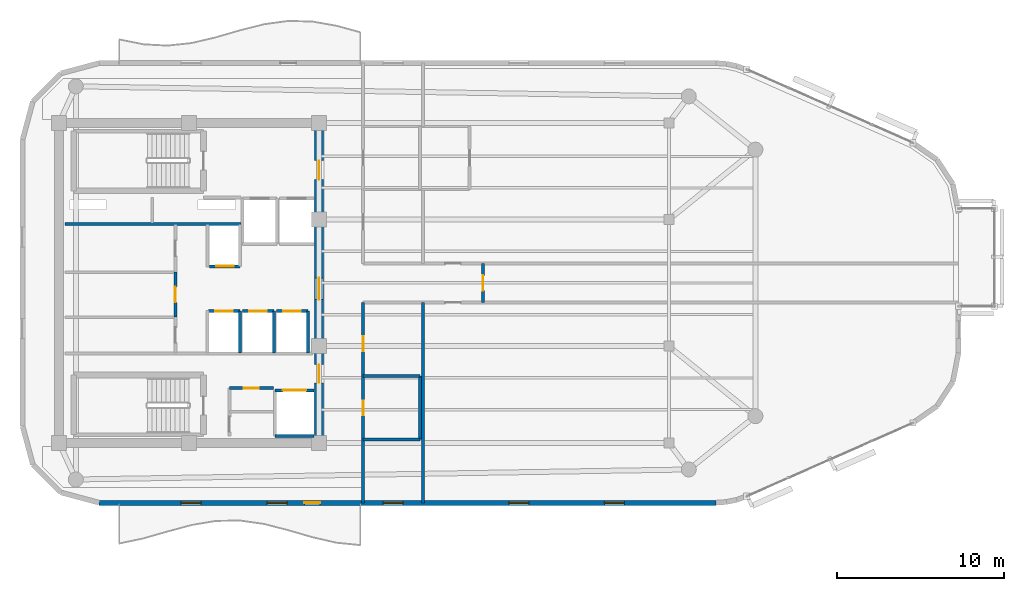
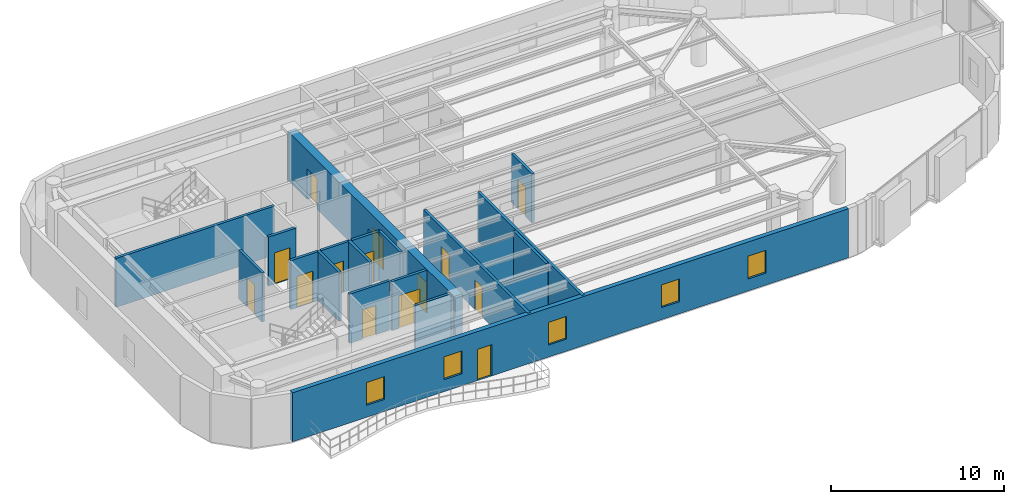
# One storey, part 9 of 13: 20 walls, 14 doors, 5 windows, 19 openings.
"""IFC4 building model written with IfcOpenShell, lengths in metres."""

from ifc_helpers import new_model, si_unit, direction, frame, frame_2d, origin, place, context, subcontext, project, spatial, rectangle, extrude, material, layer, layer_set, type_object, element, fill, save


model = new_model("IFC4")

# Units and contexts
model_context = context("Model", 3, precision=1e-05, world=origin(), true_north=direction((0.0, 1.0)))
body_context = subcontext(model_context, "Body", "Model", "MODEL_VIEW")
ifc_project = project(units=[si_unit("LENGTHUNIT", "METRE"), si_unit("AREAUNIT", "SQUARE_METRE"), si_unit("VOLUMEUNIT", "CUBIC_METRE"), si_unit("PLANEANGLEUNIT", "RADIAN"), si_unit("MASSUNIT", "GRAM", prefix="KILO")], contexts=[model_context])

# Site, building, storey
site_placement = place(None, origin())
site = spatial("IfcSite", under=ifc_project, at=site_placement, CompositionType="ELEMENT")
building_placement = place(site_placement, origin())
building = spatial("IfcBuilding", under=site, at=building_placement, Name="An Khanh Terracotta Commons", CompositionType="ELEMENT")
storey_placement = place(building_placement, frame((0.0, 0.0, 277.050048828125)))
storey = spatial("IfcBuildingStorey", under=building, at=storey_placement, Name="L72", CompositionType="ELEMENT", Elevation=277.050048828125)

# Wall, openings, doors
ifc_material_1 = material(Name="Concrete C50/60", Category="concrete")
ifc_layer_1 = layer(ifc_material_1, 0.550048828125, Name="Concrete C50/60")
ifc_layer_set_1 = layer_set([ifc_layer_1], Name="Concrete C50/60")
wall_type_1 = type_object("IfcWallType", Name="WALL-CORE-550", PredefinedType="SHEAR", material=ifc_layer_set_1)
wall_1_placement = place(storey_placement, frame((37.199951171875, 14.39990234375, 0.0), z_axis=(0.0, 0.0, 1.0), x_axis=(0.0, 1.0, 0.0)))
wall_1 = element("IfcWall", 1, at=wall_1_placement, inside=storey, type_object=wall_type_1, Name="L72 Core Wall CWALL-L72-E", PredefinedType="SHEAR", context=body_context, shape_type="SweptSolid", body=[
    extrude(rectangle(XDim=19.2001953125, YDim=0.550048828125, at=frame_2d((9.60009765625, 0.0))), origin(), (0.0, 0.0, 1.0), 3.449951171875),
])
opening_1_placement = place(wall_1_placement, frame((15.800048828125, 0.0, 0.0)))
opening_1 = element("IfcOpeningElement", 2, at=opening_1_placement, cuts=wall_1, Name="Opening D-FFL", PredefinedType="OPENING", context=body_context, shape_type="SweptSolid", body=[
    extrude(rectangle(XDim=1.14990234375, YDim=2.14990234375, at=frame_2d((0.574951171875, 1.074951171875))), frame((0.0, 0.284912109375, 0.0), z_axis=(0.0, -1.0, 0.0), x_axis=(1.0, 0.0, 0.0)), (0.0, 0.0, 1.0), 0.570068359375),
])
opening_2_placement = place(wall_1_placement, frame((3.60009765625, 0.0, 0.0)))
opening_2 = element("IfcOpeningElement", 3, at=opening_2_placement, cuts=wall_1, Name="Opening D-ST", PredefinedType="OPENING", context=body_context, shape_type="SweptSolid", body=[
    extrude(rectangle(XDim=1.10009765625, YDim=2.14990234375, at=frame_2d((0.550048828125, 1.074951171875))), frame((0.0, 0.284912109375, 0.0), z_axis=(0.0, -1.0, 0.0), x_axis=(1.0, 0.0, 0.0)), (0.0, 0.0, 1.0), 0.570068359375),
])
opening_3_placement = place(wall_1_placement, frame((8.60009765625, 0.0, 0.0)))
opening_3 = element("IfcOpeningElement", 4, at=opening_3_placement, cuts=wall_1, Name="Opening D-COR", PredefinedType="OPENING", context=body_context, shape_type="SweptSolid", body=[
    extrude(rectangle(XDim=1.300048828125, YDim=2.199951171875, at=frame_2d((0.64990234375, 1.10009765625))), frame((0.0, 0.284912109375, 0.0), z_axis=(0.0, -1.0, 0.0), x_axis=(1.0, 0.0, 0.0)), (0.0, 0.0, 1.0), 0.570068359375),
])
ifc_material_2 = material(Name="Fire-Rated Glazed Steel Double Door", Category="steel")
door_type_1 = type_object("IfcDoorType", Name="DOOR-CORR-1300", OperationType="NOTDEFINED", PredefinedType="DOOR", material=ifc_material_2)
door_1_placement = place(opening_3_placement, origin())
door_1 = element("IfcDoor", 5, at=door_1_placement, inside=storey, type_object=door_type_1, Name="L72 Passenger Lift Lobby Double Door", OperationType="DOUBLE_DOOR_SINGLE_SWING", OverallHeight=2.199951171875, OverallWidth=1.300048828125, PredefinedType="DOOR", context=body_context, shape_type="SweptSolid", body=[
    extrude(rectangle(XDim=1.300048828125, YDim=2.199951171875, at=frame_2d((0.64990234375, 1.10009765625))), frame((0.0, 0.02490234375, 0.0), z_axis=(0.0, -1.0, 0.0), x_axis=(1.0, 0.0, 0.0)), (0.0, 0.0, 1.0), 0.050048828125),
])
fill(opening_3, door_1)
ifc_material_3 = material(Name="Fire-Rated Steel Leaf and Vision Panel", Category="steel")
door_type_2 = type_object("IfcDoorType", Name="DOOR-FFL-1150", OperationType="NOTDEFINED", PredefinedType="DOOR", material=ifc_material_3)
door_2_placement = place(opening_1_placement, origin())
door_2 = element("IfcDoor", 6, at=door_2_placement, inside=storey, type_object=door_type_2, Name="L72 Firefighting Lift Lobby Fire Door", OperationType="SINGLE_SWING_LEFT", OverallHeight=2.14990234375, OverallWidth=1.14990234375, PredefinedType="DOOR", context=body_context, shape_type="SweptSolid", body=[
    extrude(rectangle(XDim=1.14990234375, YDim=2.14990234375, at=frame_2d((0.574951171875, 1.074951171875))), frame((0.0, 0.02490234375, 0.0), z_axis=(0.0, -1.0, 0.0), x_axis=(1.0, 0.0, 0.0)), (0.0, 0.0, 1.0), 0.050048828125),
])
fill(opening_1, door_2)
ifc_material_4 = material(Name="Fire-Rated Steel Leaf and Frame", Category="steel")
door_type_3 = type_object("IfcDoorType", Name="DOOR-STAIR-1100", OperationType="NOTDEFINED", PredefinedType="DOOR", material=ifc_material_4)
door_3_placement = place(opening_2_placement, origin())
door_3 = element("IfcDoor", 7, at=door_3_placement, inside=storey, type_object=door_type_3, Name="L72 South Stair Lobby Fire Door", OperationType="SINGLE_SWING_RIGHT", OverallHeight=2.14990234375, OverallWidth=1.10009765625, PredefinedType="DOOR", context=body_context, shape_type="SweptSolid", body=[
    extrude(rectangle(XDim=1.10009765625, YDim=2.14990234375, at=frame_2d((0.550048828125, 1.074951171875))), frame((0.0, 0.02490234375, 0.0), z_axis=(0.0, -1.0, 0.0), x_axis=(1.0, 0.0, 0.0)), (0.0, 0.0, 1.0), 0.050048828125),
])
fill(opening_2, door_3)

# Wall
ifc_material_5 = material(Name="Fire-Rated Gypsum Board on Steel Stud", Category="steel")
ifc_layer_2 = layer(ifc_material_5, 0.179931640625, Name="Fire-Rated Gypsum Board on Steel Stud")
ifc_layer_set_2 = layer_set([ifc_layer_2], Name="Fire-Rated Gypsum Board on Steel Stud")
wall_type_2 = type_object("IfcWallType", Name="WALL-CORR-180", PredefinedType="PARTITIONING", material=ifc_layer_set_2)
wall_2_placement = place(storey_placement, frame((21.949951171875, 27.5400390625, 0.0), z_axis=(0.0, 0.0, 1.0), x_axis=(1.0, 0.0, 0.0)))
element("IfcWall", 8, at=wall_2_placement, inside=storey, type_object=wall_type_2, Name="L72 Core Wall RSRW-L72-S", PredefinedType="PARTITIONING", context=body_context, shape_type="SweptSolid", body=[
    extrude(rectangle(XDim=10.56005859375, YDim=0.179931640625, at=frame_2d((5.280029296875, 0.0))), origin(), (0.0, 0.0, 1.0), 3.449951171875),
])

# Wall, opening, door
wall_3_placement = place(storey_placement, frame((31.820068359375, 17.679931640625, 0.0), z_axis=(0.0, 0.0, 1.0), x_axis=(1.0, 0.0, 0.0)))
wall_3 = element("IfcWall", 9, at=wall_3_placement, inside=storey, type_object=wall_type_2, Name="L72 Core Wall SSVCW-L72-N", PredefinedType="PARTITIONING", context=body_context, shape_type="SweptSolid", body=[
    extrude(rectangle(XDim=2.659912109375, YDim=0.179931640625, at=frame_2d((1.330078125, 0.0))), origin(), (0.0, 0.0, 1.0), 3.449951171875),
])
opening_4_placement = place(wall_3_placement, frame((0.85009765625, 0.0, 0.0)))
opening_4 = element("IfcOpeningElement", 10, at=opening_4_placement, cuts=wall_3, Name="Opening D-SV", PredefinedType="OPENING", context=body_context, shape_type="SweptSolid", body=[
    extrude(rectangle(XDim=0.89990234375, YDim=2.050048828125, at=frame_2d((0.449951171875, 1.02490234375))), frame((0.0, 0.099853515625, 0.0), z_axis=(0.0, -1.0, 0.0), x_axis=(1.0, 0.0, 0.0)), (0.0, 0.0, 1.0), 0.199951171875),
])
ifc_material_6 = material(Name="Fire-Rated Powder-Coated Steel Door", Category="steel")
door_type_4 = type_object("IfcDoorType", Name="DOOR-SERV-900", OperationType="NOTDEFINED", PredefinedType="DOOR", material=ifc_material_6)
door_4_placement = place(opening_4_placement, origin())
door_4 = element("IfcDoor", 11, at=door_4_placement, inside=storey, type_object=door_type_4, Name="L72 Core Cleaner Store Door", OperationType="SINGLE_SWING_LEFT", OverallHeight=2.050048828125, OverallWidth=0.89990234375, PredefinedType="DOOR", context=body_context, shape_type="SweptSolid", body=[
    extrude(rectangle(XDim=0.89990234375, YDim=2.050048828125, at=frame_2d((0.449951171875, 1.02490234375))), frame((0.0, 0.02490234375, 0.0), z_axis=(0.0, -1.0, 0.0), x_axis=(1.0, 0.0, 0.0)), (0.0, 0.0, 1.0), 0.050048828125),
])
fill(opening_4, door_4)

wall_4_placement = place(storey_placement, frame((34.550048828125, 17.550048828125, 0.0), z_axis=(0.0, 0.0, 1.0), x_axis=(1.0, 0.0, 0.0)))
wall_4 = element("IfcWall", 12, at=wall_4_placement, inside=storey, type_object=wall_type_2, Name="L72 Core Wall LSH-L72-SVL-01-N", PredefinedType="PARTITIONING", context=body_context, shape_type="SweptSolid", body=[
    extrude(rectangle(XDim=2.349853515625, YDim=0.179931640625, at=frame_2d((1.1748046875, 0.0))), origin(), (0.0, 0.0, 1.0), 3.449951171875),
])
opening_5_placement = place(wall_4_placement, frame((0.47509765625, 0.0, 0.0)))
opening_5 = element("IfcOpeningElement", 13, at=opening_5_placement, cuts=wall_4, Name="Opening LD-SVL-01-L72", PredefinedType="OPENING", context=body_context, shape_type="SweptSolid", body=[
    extrude(rectangle(XDim=1.39990234375, YDim=2.300048828125, at=frame_2d((0.699951171875, 1.14990234375))), frame((0.0, 0.099853515625, 0.0), z_axis=(0.0, -1.0, 0.0), x_axis=(1.0, 0.0, 0.0)), (0.0, 0.0, 1.0), 0.199951171875),
])
ifc_material_7 = material(Name="Heavy-Duty Stainless Steel Goods Landing Door", Category="steel")
door_type_5 = type_object("IfcDoorType", Name="DOOR-LD-SVL-1400", OperationType="NOTDEFINED", PredefinedType="DOOR", material=ifc_material_7)
door_5_placement = place(opening_5_placement, origin())
door_5 = element("IfcDoor", 14, at=door_5_placement, inside=storey, type_object=door_type_5, Name="L72 Lift SVL-01 Sliding Landing Door", OperationType="DOUBLE_DOOR_SLIDING", OverallHeight=2.300048828125, OverallWidth=1.39990234375, PredefinedType="DOOR", context=body_context, shape_type="SweptSolid", body=[
    extrude(rectangle(XDim=1.39990234375, YDim=2.300048828125, at=frame_2d((0.699951171875, 1.14990234375))), frame((0.0, 0.02490234375, 0.0), z_axis=(0.0, -1.0, 0.0), x_axis=(1.0, 0.0, 0.0)), (0.0, 0.0, 1.0), 0.050048828125),
])
fill(opening_5, door_5)

# Wall
wall_5_placement = place(storey_placement, frame((36.89990234375, 14.800048828125, 0.0), z_axis=(0.0, 0.0, 1.0), x_axis=(-1.0, 0.0, 0.0)))
element("IfcWall", 15, at=wall_5_placement, inside=storey, type_object=wall_type_2, Name="L72 Core Wall LSH-L72-SVL-01-S", PredefinedType="PARTITIONING", context=body_context, shape_type="SweptSolid", body=[
    extrude(rectangle(XDim=2.349853515625, YDim=0.179931640625, at=frame_2d((1.1748046875, 0.0))), origin(), (0.0, 0.0, 1.0), 3.449951171875),
])

# Wall, opening, door
wall_6_placement = place(storey_placement, frame((32.4599609375, 25.0, 0.0), z_axis=(0.0, 0.0, 1.0), x_axis=(-1.0, 0.0, 0.0)))
wall_6 = element("IfcWall", 16, at=wall_6_placement, inside=storey, type_object=wall_type_2, Name="L72 Core Wall LSH-L72-PL-H1-S", PredefinedType="PARTITIONING", context=body_context, shape_type="SweptSolid", body=[
    extrude(rectangle(XDim=1.820068359375, YDim=0.179931640625, at=frame_2d((0.91015625, 0.0))), origin(), (0.0, 0.0, 1.0), 3.449951171875),
])
opening_6_placement = place(wall_6_placement, frame((0.385009765625, 0.0, 0.0)))
opening_6 = element("IfcOpeningElement", 17, at=opening_6_placement, cuts=wall_6, Name="Opening LD-PL-H1-L72", PredefinedType="OPENING", context=body_context, shape_type="SweptSolid", body=[
    extrude(rectangle(XDim=1.050048828125, YDim=2.199951171875, at=frame_2d((0.52490234375, 1.10009765625))), frame((0.0, 0.099853515625, 0.0), z_axis=(0.0, -1.0, 0.0), x_axis=(1.0, 0.0, 0.0)), (0.0, 0.0, 1.0), 0.199951171875),
])
ifc_material_8 = material(Name="Brushed Stainless Steel High-Rise Landing Door", Category="steel")
door_type_6 = type_object("IfcDoorType", Name="DOOR-LD-PAXH-1050", OperationType="NOTDEFINED", PredefinedType="DOOR", material=ifc_material_8)
door_6_placement = place(opening_6_placement, origin())
door_6 = element("IfcDoor", 18, at=door_6_placement, inside=storey, type_object=door_type_6, Name="L72 Lift PL-H1 Sliding Landing Door", OperationType="DOUBLE_DOOR_SLIDING", OverallHeight=2.199951171875, OverallWidth=1.050048828125, PredefinedType="DOOR", context=body_context, shape_type="SweptSolid", body=[
    extrude(rectangle(XDim=1.050048828125, YDim=2.199951171875, at=frame_2d((0.52490234375, 1.10009765625))), frame((0.0, 0.02490234375, 0.0), z_axis=(0.0, -1.0, 0.0), x_axis=(1.0, 0.0, 0.0)), (0.0, 0.0, 1.0), 0.050048828125),
])
fill(opening_6, door_6)

wall_7_placement = place(storey_placement, frame((30.56005859375, 22.300048828125, 0.0), z_axis=(0.0, 0.0, 1.0), x_axis=(1.0, 0.0, 0.0)))
wall_7 = element("IfcWall", 19, at=wall_7_placement, inside=storey, type_object=wall_type_2, Name="L72 Core Wall LSH-L72-PL-H2-N", PredefinedType="PARTITIONING", context=body_context, shape_type="SweptSolid", body=[
    extrude(rectangle(XDim=1.89990234375, YDim=0.179931640625, at=frame_2d((0.949951171875, 0.0))), origin(), (0.0, 0.0, 1.0), 3.449951171875),
])
opening_7_placement = place(wall_7_placement, frame((0.425048828125, 0.0, 0.0)))
opening_7 = element("IfcOpeningElement", 20, at=opening_7_placement, cuts=wall_7, Name="Opening LD-PL-H2-L72", PredefinedType="OPENING", context=body_context, shape_type="SweptSolid", body=[
    extrude(rectangle(XDim=1.050048828125, YDim=2.199951171875, at=frame_2d((0.52490234375, 1.10009765625))), frame((0.0, 0.099853515625, 0.0), z_axis=(0.0, -1.0, 0.0), x_axis=(1.0, 0.0, 0.0)), (0.0, 0.0, 1.0), 0.199951171875),
])
door_7_placement = place(opening_7_placement, origin())
door_7 = element("IfcDoor", 21, at=door_7_placement, inside=storey, type_object=door_type_6, Name="L72 Lift PL-H2 Sliding Landing Door", OperationType="DOUBLE_DOOR_SLIDING", OverallHeight=2.199951171875, OverallWidth=1.050048828125, PredefinedType="DOOR", context=body_context, shape_type="SweptSolid", body=[
    extrude(rectangle(XDim=1.050048828125, YDim=2.199951171875, at=frame_2d((0.52490234375, 1.10009765625))), frame((0.0, 0.02490234375, 0.0), z_axis=(0.0, -1.0, 0.0), x_axis=(1.0, 0.0, 0.0)), (0.0, 0.0, 1.0), 0.050048828125),
])
fill(opening_7, door_7)

# Wall
wall_8_placement = place(storey_placement, frame((32.4599609375, 19.800048828125, 0.0), z_axis=(0.0, 0.0, 1.0), x_axis=(0.0, 1.0, 0.0)))
element("IfcWall", 22, at=wall_8_placement, inside=storey, type_object=wall_type_2, Name="L72 Core Wall LSH-L72-PL-H2-E", PredefinedType="PARTITIONING", context=body_context, shape_type="SweptSolid", body=[
    extrude(rectangle(XDim=2.5, YDim=0.179931640625, at=frame_2d((1.25, 0.0))), origin(), (0.0, 0.0, 1.0), 3.449951171875),
])

# Wall, opening, door
wall_9_placement = place(storey_placement, frame((32.60009765625, 22.300048828125, 0.0), z_axis=(0.0, 0.0, 1.0), x_axis=(1.0, 0.0, 0.0)))
wall_9 = element("IfcWall", 23, at=wall_9_placement, inside=storey, type_object=wall_type_2, Name="L72 Core Wall LSH-L72-PL-H3-N", PredefinedType="PARTITIONING", context=body_context, shape_type="SweptSolid", body=[
    extrude(rectangle(XDim=1.89990234375, YDim=0.179931640625, at=frame_2d((0.949951171875, 0.0))), origin(), (0.0, 0.0, 1.0), 3.449951171875),
])
opening_8_placement = place(wall_9_placement, frame((0.425048828125, 0.0, 0.0)))
opening_8 = element("IfcOpeningElement", 24, at=opening_8_placement, cuts=wall_9, Name="Opening LD-PL-H3-L72", PredefinedType="OPENING", context=body_context, shape_type="SweptSolid", body=[
    extrude(rectangle(XDim=1.050048828125, YDim=2.199951171875, at=frame_2d((0.52490234375, 1.10009765625))), frame((0.0, 0.099853515625, 0.0), z_axis=(0.0, -1.0, 0.0), x_axis=(1.0, 0.0, 0.0)), (0.0, 0.0, 1.0), 0.199951171875),
])
door_8_placement = place(opening_8_placement, origin())
door_8 = element("IfcDoor", 25, at=door_8_placement, inside=storey, type_object=door_type_6, Name="L72 Lift PL-H3 Sliding Landing Door", OperationType="DOUBLE_DOOR_SLIDING", OverallHeight=2.199951171875, OverallWidth=1.050048828125, PredefinedType="DOOR", context=body_context, shape_type="SweptSolid", body=[
    extrude(rectangle(XDim=1.050048828125, YDim=2.199951171875, at=frame_2d((0.52490234375, 1.10009765625))), frame((0.0, 0.02490234375, 0.0), z_axis=(0.0, -1.0, 0.0), x_axis=(1.0, 0.0, 0.0)), (0.0, 0.0, 1.0), 0.050048828125),
])
fill(opening_8, door_8)

# Wall
wall_10_placement = place(storey_placement, frame((34.5, 19.800048828125, 0.0), z_axis=(0.0, 0.0, 1.0), x_axis=(0.0, 1.0, 0.0)))
element("IfcWall", 26, at=wall_10_placement, inside=storey, type_object=wall_type_2, Name="L72 Core Wall LSH-L72-PL-H3-E", PredefinedType="PARTITIONING", context=body_context, shape_type="SweptSolid", body=[
    extrude(rectangle(XDim=2.5, YDim=0.179931640625, at=frame_2d((1.25, 0.0))), origin(), (0.0, 0.0, 1.0), 3.449951171875),
])

# Wall, opening, door
wall_11_placement = place(storey_placement, frame((34.639892578125, 22.300048828125, 0.0), z_axis=(0.0, 0.0, 1.0), x_axis=(1.0, 0.0, 0.0)))
wall_11 = element("IfcWall", 27, at=wall_11_placement, inside=storey, type_object=wall_type_2, Name="L72 Core Wall LSH-L72-PL-H4-N", PredefinedType="PARTITIONING", context=body_context, shape_type="SweptSolid", body=[
    extrude(rectangle(XDim=1.900146484375, YDim=0.179931640625, at=frame_2d((0.9501953125, 0.0))), origin(), (0.0, 0.0, 1.0), 3.449951171875),
])
opening_9_placement = place(wall_11_placement, frame((0.425048828125, 0.0, 0.0)))
opening_9 = element("IfcOpeningElement", 28, at=opening_9_placement, cuts=wall_11, Name="Opening LD-PL-H4-L72", PredefinedType="OPENING", context=body_context, shape_type="SweptSolid", body=[
    extrude(rectangle(XDim=1.050048828125, YDim=2.199951171875, at=frame_2d((0.52490234375, 1.10009765625))), frame((0.0, 0.099853515625, 0.0), z_axis=(0.0, -1.0, 0.0), x_axis=(1.0, 0.0, 0.0)), (0.0, 0.0, 1.0), 0.199951171875),
])
door_9_placement = place(opening_9_placement, origin())
door_9 = element("IfcDoor", 29, at=door_9_placement, inside=storey, type_object=door_type_6, Name="L72 Lift PL-H4 Sliding Landing Door", OperationType="DOUBLE_DOOR_SLIDING", OverallHeight=2.199951171875, OverallWidth=1.050048828125, PredefinedType="DOOR", context=body_context, shape_type="SweptSolid", body=[
    extrude(rectangle(XDim=1.050048828125, YDim=2.199951171875, at=frame_2d((0.52490234375, 1.10009765625))), frame((0.0, 0.02490234375, 0.0), z_axis=(0.0, -1.0, 0.0), x_axis=(1.0, 0.0, 0.0)), (0.0, 0.0, 1.0), 0.050048828125),
])
fill(opening_9, door_9)

# Wall
wall_12_placement = place(storey_placement, frame((36.5400390625, 19.800048828125, 0.0), z_axis=(0.0, 0.0, 1.0), x_axis=(0.0, 1.0, 0.0)))
element("IfcWall", 30, at=wall_12_placement, inside=storey, type_object=wall_type_2, Name="L72 Core Wall LSH-L72-PL-H4-E", PredefinedType="PARTITIONING", context=body_context, shape_type="SweptSolid", body=[
    extrude(rectangle(XDim=2.5, YDim=0.179931640625, at=frame_2d((1.25, 0.0))), origin(), (0.0, 0.0, 1.0), 3.449951171875),
])

# Wall, opening, door
wall_13_placement = place(storey_placement, frame((28.580078125, 21.949951171875, 0.0), z_axis=(0.0, 0.0, 1.0), x_axis=(0.0, 1.0, 0.0)))
wall_13 = element("IfcWall", 31, at=wall_13_placement, inside=storey, type_object=wall_type_2, Name="L72 Core Wall RECW-L72-E2", PredefinedType="PARTITIONING", context=body_context, shape_type="SweptSolid", body=[
    extrude(rectangle(XDim=2.699951171875, YDim=0.179931640625, at=frame_2d((1.35009765625, 0.0))), origin(), (0.0, 0.0, 1.0), 3.449951171875),
])
opening_10_placement = place(wall_13_placement, frame((0.889892578125, 0.0, 0.0)))
opening_10 = element("IfcOpeningElement", 32, at=opening_10_placement, cuts=wall_13, Name="Opening D-RM", PredefinedType="OPENING", context=body_context, shape_type="SweptSolid", body=[
    extrude(rectangle(XDim=0.919921875, YDim=2.10009765625, at=frame_2d((0.4599609375, 1.050048828125))), frame((0.0, 0.099853515625, 0.0), z_axis=(0.0, -1.0, 0.0), x_axis=(1.0, 0.0, 0.0)), (0.0, 0.0, 1.0), 0.199951171875),
])
ifc_material_9 = material(Name="Engineered Hardwood Timber Leaf", Category="wood")
door_type_7 = type_object("IfcDoorType", Name="DOOR-INT-920", OperationType="NOTDEFINED", PredefinedType="DOOR", material=ifc_material_9)
door_10_placement = place(opening_10_placement, origin())
door_10 = element("IfcDoor", 33, at=door_10_placement, inside=storey, type_object=door_type_7, Name="L72 Floor Pantry and Tea Room Door", OperationType="SINGLE_SWING_RIGHT", OverallHeight=2.10009765625, OverallWidth=0.919921875, PredefinedType="DOOR", context=body_context, shape_type="SweptSolid", body=[
    extrude(rectangle(XDim=0.919921875, YDim=2.10009765625, at=frame_2d((0.4599609375, 1.050048828125))), frame((0.0, 0.02490234375, 0.0), z_axis=(0.0, -1.0, 0.0), x_axis=(1.0, 0.0, 0.0)), (0.0, 0.0, 1.0), 0.050048828125),
])
fill(opening_10, door_10)

# Walls
wall_14_placement = place(storey_placement, frame((39.85009765625, 14.60009765625, 0.0), z_axis=(0.0, 0.0, 1.0), x_axis=(1.0, 0.0, 0.0)))
element("IfcWall", 34, at=wall_14_placement, inside=storey, type_object=wall_type_2, Name="L72 Interior Partition IW-L72-E001", PredefinedType="PARTITIONING", context=body_context, shape_type="SweptSolid", body=[
    extrude(rectangle(XDim=3.39990234375, YDim=0.179931640625, at=frame_2d((1.699951171875, 0.0))), origin(), (0.0, 0.0, 1.0), 3.092041015625),
])
wall_15_placement = place(storey_placement, frame((39.85009765625, 18.39990234375, 0.0), z_axis=(0.0, 0.0, 1.0), x_axis=(1.0, 0.0, 0.0)))
element("IfcWall", 35, at=wall_15_placement, inside=storey, type_object=wall_type_2, Name="L72 Interior Partition IW-L72-E002", PredefinedType="PARTITIONING", context=body_context, shape_type="SweptSolid", body=[
    extrude(rectangle(XDim=3.39990234375, YDim=0.179931640625, at=frame_2d((1.699951171875, 0.0))), origin(), (0.0, 0.0, 1.0), 3.1318359375),
])

# Wall, openings, doors
wall_16_placement = place(storey_placement, frame((39.85009765625, 10.800048828125, 0.0), z_axis=(0.0, 0.0, 1.0), x_axis=(0.0, 1.0, 0.0)))
wall_16 = element("IfcWall", 36, at=wall_16_placement, inside=storey, type_object=wall_type_2, Name="L72 Interior Partition IW-L72-E007", PredefinedType="PARTITIONING", context=body_context, shape_type="SweptSolid", body=[
    extrude(rectangle(XDim=12.02001953125, YDim=0.179931640625, at=frame_2d((6.010009765625, 0.0))), origin(), (0.0, 0.0, 1.0), 3.449951171875),
])
opening_11_placement = place(wall_16_placement, frame((5.27001953125, 0.0, 0.0)))
opening_11 = element("IfcOpeningElement", 37, at=opening_11_placement, cuts=wall_16, Name="Opening D-ENS", PredefinedType="OPENING", context=body_context, shape_type="SweptSolid", body=[
    extrude(rectangle(XDim=0.860107421875, YDim=2.10009765625, at=frame_2d((0.43017578125, 1.050048828125))), frame((0.0, 0.099853515625, 0.0), z_axis=(0.0, -1.0, 0.0), x_axis=(1.0, 0.0, 0.0)), (0.0, 0.0, 1.0), 0.199951171875),
])
opening_12_placement = place(wall_16_placement, frame((9.090087890625, 0.0, 0.0)))
opening_12 = element("IfcOpeningElement", 38, at=opening_12_placement, cuts=wall_16, Name="Opening D-RM", PredefinedType="OPENING", context=body_context, shape_type="SweptSolid", body=[
    extrude(rectangle(XDim=0.919921875, YDim=2.10009765625, at=frame_2d((0.4599609375, 1.050048828125))), frame((0.0, 0.099853515625, 0.0), z_axis=(0.0, -1.0, 0.0), x_axis=(1.0, 0.0, 0.0)), (0.0, 0.0, 1.0), 0.199951171875),
])
ifc_material_10 = material(Name="Moisture-Resistant Hardwood Timber Leaf", Category="wood")
door_type_8 = type_object("IfcDoorType", Name="DOOR-BATH-860", OperationType="NOTDEFINED", PredefinedType="DOOR", material=ifc_material_10)
door_11_placement = place(opening_11_placement, origin())
door_11 = element("IfcDoor", 39, at=door_11_placement, inside=storey, type_object=door_type_8, Name="L72 SHW Resident Shared Shower and Washroom Door", OperationType="SINGLE_SWING_LEFT", OverallHeight=2.10009765625, OverallWidth=0.860107421875, PredefinedType="DOOR", context=body_context, shape_type="SweptSolid", body=[
    extrude(rectangle(XDim=0.860107421875, YDim=2.10009765625, at=frame_2d((0.43017578125, 1.050048828125))), frame((0.0, 0.02490234375, 0.0), z_axis=(0.0, -1.0, 0.0), x_axis=(1.0, 0.0, 0.0)), (0.0, 0.0, 1.0), 0.050048828125),
])
fill(opening_11, door_11)
door_12_placement = place(opening_12_placement, origin())
door_12 = element("IfcDoor", 40, at=door_12_placement, inside=storey, type_object=door_type_7, Name="L72 T5SW Co-Living Private Bedroom Door", OperationType="SINGLE_SWING_LEFT", OverallHeight=2.10009765625, OverallWidth=0.919921875, PredefinedType="DOOR", context=body_context, shape_type="SweptSolid", body=[
    extrude(rectangle(XDim=0.919921875, YDim=2.10009765625, at=frame_2d((0.4599609375, 1.050048828125))), frame((0.0, 0.02490234375, 0.0), z_axis=(0.0, -1.0, 0.0), x_axis=(1.0, 0.0, 0.0)), (0.0, 0.0, 1.0), 0.050048828125),
])
fill(opening_12, door_12)

# Walls
wall_17_placement = place(storey_placement, frame((43.25, 14.60009765625, 0.0), z_axis=(0.0, 0.0, 1.0), x_axis=(0.0, 1.0, 0.0)))
element("IfcWall", 41, at=wall_17_placement, inside=storey, type_object=wall_type_2, Name="L72 Interior Partition IW-L72-E009", PredefinedType="PARTITIONING", context=body_context, shape_type="SweptSolid", body=[
    extrude(rectangle(XDim=3.7998046875, YDim=0.179931640625, at=frame_2d((1.89990234375, 0.0))), origin(), (0.0, 0.0, 1.0), 3.449951171875),
])
wall_18_placement = place(storey_placement, frame((43.449951171875, 10.800048828125, 0.0), z_axis=(0.0, 0.0, 1.0), x_axis=(0.0, 1.0, 0.0)))
element("IfcWall", 42, at=wall_18_placement, inside=storey, type_object=wall_type_2, Name="L72 Interior Partition IW-L72-E011", PredefinedType="PARTITIONING", context=body_context, shape_type="SweptSolid", body=[
    extrude(rectangle(XDim=12.02001953125, YDim=0.179931640625, at=frame_2d((6.010009765625, 0.0))), origin(), (0.0, 0.0, 1.0), 3.449951171875),
])

# Wall, opening, door
wall_19_placement = place(storey_placement, frame((47.050048828125, 22.820068359375, 0.0), z_axis=(0.0, 0.0, 1.0), x_axis=(0.0, 1.0, 0.0)))
wall_19 = element("IfcWall", 43, at=wall_19_placement, inside=storey, type_object=wall_type_2, Name="L72 Interior Partition IW-L72-E015", PredefinedType="PARTITIONING", context=body_context, shape_type="SweptSolid", body=[
    extrude(rectangle(XDim=2.35986328125, YDim=0.179931640625, at=frame_2d((1.179931640625, 0.0))), origin(), (0.0, 0.0, 1.0), 3.449951171875),
])
opening_13_placement = place(wall_19_placement, frame((0.719970703125, 0.0, 0.0)))
opening_13 = element("IfcOpeningElement", 44, at=opening_13_placement, cuts=wall_19, Name="Opening D-RM", PredefinedType="OPENING", context=body_context, shape_type="SweptSolid", body=[
    extrude(rectangle(XDim=0.919921875, YDim=2.10009765625, at=frame_2d((0.4599609375, 1.050048828125))), frame((0.0, 0.099853515625, 0.0), z_axis=(0.0, -1.0, 0.0), x_axis=(1.0, 0.0, 0.0)), (0.0, 0.0, 1.0), 0.199951171875),
])
door_13_placement = place(opening_13_placement, origin())
door_13 = element("IfcDoor", 45, at=door_13_placement, inside=storey, type_object=door_type_7, Name="L72 T5ME Academic Seminar Room Door", OperationType="SINGLE_SWING_LEFT", OverallHeight=2.10009765625, OverallWidth=0.919921875, PredefinedType="DOOR", context=body_context, shape_type="SweptSolid", body=[
    extrude(rectangle(XDim=0.919921875, YDim=2.10009765625, at=frame_2d((0.4599609375, 1.050048828125))), frame((0.0, 0.02490234375, 0.0), z_axis=(0.0, -1.0, 0.0), x_axis=(1.0, 0.0, 0.0)), (0.0, 0.0, 1.0), 0.050048828125),
])
fill(opening_13, door_13)

# Wall, openings, door, windows
ifc_material_11 = material(Name="Precast concrete C40/50", Category="concrete")
ifc_layer_3 = layer(ifc_material_11, 0.300048828125, Name="Precast concrete C40/50")
ifc_layer_set_3 = layer_set([ifc_layer_3], Name="Precast concrete C40/50")
wall_type_3 = type_object("IfcWallType", Name="WALL-EXT-300", PredefinedType="SOLIDWALL", material=ifc_layer_set_3)
wall_20_placement = place(storey_placement, frame((24.0, 10.800048828125, 0.0), z_axis=(0.0, 0.0, 1.0), x_axis=(1.0, 0.0, 0.0)))
wall_20 = element("IfcWall", 46, at=wall_20_placement, inside=storey, type_object=wall_type_3, Name="L72 Insulated Terracotta Exterior Wall 4", PredefinedType="SOLIDWALL", context=body_context, shape_type="SweptSolid", body=[
    extrude(rectangle(XDim=37.030029296875, YDim=0.300048828125, at=frame_2d((18.51513671875, 0.0))), origin(), (0.0, 0.0, 1.0), 3.449951171875),
])
opening_14_placement = place(wall_20_placement, frame((12.324951171875, 0.0, 0.0)))
opening_14 = element("IfcOpeningElement", 47, at=opening_14_placement, cuts=wall_20, Name="Opening D-BAL", PredefinedType="OPENING", context=body_context, shape_type="SweptSolid", body=[
    extrude(rectangle(XDim=0.949951171875, YDim=2.199951171875, at=frame_2d((0.47509765625, 1.10009765625))), frame((0.0, 0.159912109375, 0.0), z_axis=(0.0, -1.0, 0.0), x_axis=(1.0, 0.0, 0.0)), (0.0, 0.0, 1.0), 0.320068359375),
])
opening_15_placement = place(wall_20_placement, frame((4.9169921875, 0.0, 0.85009765625)))
opening_15 = element("IfcOpeningElement", 48, at=opening_15_placement, cuts=wall_20, Name="Opening W-05", PredefinedType="OPENING", context=body_context, shape_type="SweptSolid", body=[
    extrude(rectangle(XDim=1.199951171875, YDim=1.60009765625, at=frame_2d((0.60009765625, 0.800048828125))), frame((0.0, 0.159912109375, 0.0), z_axis=(0.0, -1.0, 0.0), x_axis=(1.0, 0.0, 0.0)), (0.0, 0.0, 1.0), 0.320068359375),
])
opening_16_placement = place(wall_20_placement, frame((10.0830078125, 0.0, 0.85009765625)))
opening_16 = element("IfcOpeningElement", 49, at=opening_16_placement, cuts=wall_20, Name="Opening W-05", PredefinedType="OPENING", context=body_context, shape_type="SweptSolid", body=[
    extrude(rectangle(XDim=1.199951171875, YDim=1.60009765625, at=frame_2d((0.60009765625, 0.800048828125))), frame((0.0, 0.159912109375, 0.0), z_axis=(0.0, -1.0, 0.0), x_axis=(1.0, 0.0, 0.0)), (0.0, 0.0, 1.0), 0.320068359375),
])
opening_17_placement = place(wall_20_placement, frame((17.050048828125, 0.0, 0.85009765625)))
opening_17 = element("IfcOpeningElement", 50, at=opening_17_placement, cuts=wall_20, Name="Opening W-05", PredefinedType="OPENING", context=body_context, shape_type="SweptSolid", body=[
    extrude(rectangle(XDim=1.199951171875, YDim=1.60009765625, at=frame_2d((0.60009765625, 0.800048828125))), frame((0.0, 0.159912109375, 0.0), z_axis=(0.0, -1.0, 0.0), x_axis=(1.0, 0.0, 0.0)), (0.0, 0.0, 1.0), 0.320068359375),
])
opening_18_placement = place(wall_20_placement, frame((24.593017578125, 0.0, 0.85009765625)))
opening_18 = element("IfcOpeningElement", 51, at=opening_18_placement, cuts=wall_20, Name="Opening W-05", PredefinedType="OPENING", context=body_context, shape_type="SweptSolid", body=[
    extrude(rectangle(XDim=1.199951171875, YDim=1.60009765625, at=frame_2d((0.60009765625, 0.800048828125))), frame((0.0, 0.159912109375, 0.0), z_axis=(0.0, -1.0, 0.0), x_axis=(1.0, 0.0, 0.0)), (0.0, 0.0, 1.0), 0.320068359375),
])
opening_19_placement = place(wall_20_placement, frame((30.3369140625, 0.0, 0.85009765625)))
opening_19 = element("IfcOpeningElement", 52, at=opening_19_placement, cuts=wall_20, Name="Opening W-05", PredefinedType="OPENING", context=body_context, shape_type="SweptSolid", body=[
    extrude(rectangle(XDim=1.199951171875, YDim=1.60009765625, at=frame_2d((0.60009765625, 0.800048828125))), frame((0.0, 0.159912109375, 0.0), z_axis=(0.0, -1.0, 0.0), x_axis=(1.0, 0.0, 0.0)), (0.0, 0.0, 1.0), 0.320068359375),
])
ifc_material_12 = material(Name="Thermally Broken Aluminium and Low-E Glass", Category="aluminium")
door_type_9 = type_object("IfcDoorType", Name="DOOR-BALC-950", OperationType="NOTDEFINED", PredefinedType="DOOR", material=ifc_material_12)
door_14_placement = place(opening_14_placement, origin())
door_14 = element("IfcDoor", 53, at=door_14_placement, inside=storey, type_object=door_type_9, Name="L72 S Wave Balcony Glazed Door", OperationType="SINGLE_SWING_LEFT", OverallHeight=2.199951171875, OverallWidth=0.949951171875, PredefinedType="DOOR", context=body_context, shape_type="SweptSolid", body=[
    extrude(rectangle(XDim=0.949951171875, YDim=2.199951171875, at=frame_2d((0.47509765625, 1.10009765625))), frame((0.0, 0.02490234375, 0.0), z_axis=(0.0, -1.0, 0.0), x_axis=(1.0, 0.0, 0.0)), (0.0, 0.0, 1.0), 0.050048828125),
])
fill(opening_14, door_14)
window_type = type_object("IfcWindowType", Name="WIN-Z5-1200x1600", PartitioningType="SINGLE_PANEL", PredefinedType="WINDOW", material=ifc_material_12)
window_1_placement = place(opening_15_placement, origin())
window_1 = element("IfcWindow", 54, at=window_1_placement, inside=storey, type_object=window_type, Name="L72 Operable Casement Window 4.1", OverallHeight=1.60009765625, OverallWidth=1.199951171875, PartitioningType="SINGLE_PANEL", PredefinedType="WINDOW", context=body_context, shape_type="SweptSolid", body=[
    extrude(rectangle(XDim=1.199951171875, YDim=1.60009765625, at=frame_2d((0.60009765625, 0.800048828125))), frame((0.0, 0.030029296875, 0.0), z_axis=(0.0, -1.0, 0.0), x_axis=(1.0, 0.0, 0.0)), (0.0, 0.0, 1.0), 0.06005859375),
])
fill(opening_15, window_1)
window_2_placement = place(opening_16_placement, origin())
window_2 = element("IfcWindow", 55, at=window_2_placement, inside=storey, type_object=window_type, Name="L72 Operable Casement Window 4.2", OverallHeight=1.60009765625, OverallWidth=1.199951171875, PartitioningType="SINGLE_PANEL", PredefinedType="WINDOW", context=body_context, shape_type="SweptSolid", body=[
    extrude(rectangle(XDim=1.199951171875, YDim=1.60009765625, at=frame_2d((0.60009765625, 0.800048828125))), frame((0.0, 0.030029296875, 0.0), z_axis=(0.0, -1.0, 0.0), x_axis=(1.0, 0.0, 0.0)), (0.0, 0.0, 1.0), 0.06005859375),
])
fill(opening_16, window_2)
window_3_placement = place(opening_17_placement, origin())
window_3 = element("IfcWindow", 56, at=window_3_placement, inside=storey, type_object=window_type, Name="L72 Operable Casement Window 4.3", OverallHeight=1.60009765625, OverallWidth=1.199951171875, PartitioningType="SINGLE_PANEL", PredefinedType="WINDOW", context=body_context, shape_type="SweptSolid", body=[
    extrude(rectangle(XDim=1.199951171875, YDim=1.60009765625, at=frame_2d((0.60009765625, 0.800048828125))), frame((0.0, 0.030029296875, 0.0), z_axis=(0.0, -1.0, 0.0), x_axis=(1.0, 0.0, 0.0)), (0.0, 0.0, 1.0), 0.06005859375),
])
fill(opening_17, window_3)
window_4_placement = place(opening_18_placement, origin())
window_4 = element("IfcWindow", 57, at=window_4_placement, inside=storey, type_object=window_type, Name="L72 Operable Casement Window 4.4", OverallHeight=1.60009765625, OverallWidth=1.199951171875, PartitioningType="SINGLE_PANEL", PredefinedType="WINDOW", context=body_context, shape_type="SweptSolid", body=[
    extrude(rectangle(XDim=1.199951171875, YDim=1.60009765625, at=frame_2d((0.60009765625, 0.800048828125))), frame((0.0, 0.030029296875, 0.0), z_axis=(0.0, -1.0, 0.0), x_axis=(1.0, 0.0, 0.0)), (0.0, 0.0, 1.0), 0.06005859375),
])
fill(opening_18, window_4)
window_5_placement = place(opening_19_placement, origin())
window_5 = element("IfcWindow", 58, at=window_5_placement, inside=storey, type_object=window_type, Name="L72 Operable Casement Window 4.5", OverallHeight=1.60009765625, OverallWidth=1.199951171875, PartitioningType="SINGLE_PANEL", PredefinedType="WINDOW", context=body_context, shape_type="SweptSolid", body=[
    extrude(rectangle(XDim=1.199951171875, YDim=1.60009765625, at=frame_2d((0.60009765625, 0.800048828125))), frame((0.0, 0.030029296875, 0.0), z_axis=(0.0, -1.0, 0.0), x_axis=(1.0, 0.0, 0.0)), (0.0, 0.0, 1.0), 0.06005859375),
])
fill(opening_19, window_5)

save(model, "model.ifc")
